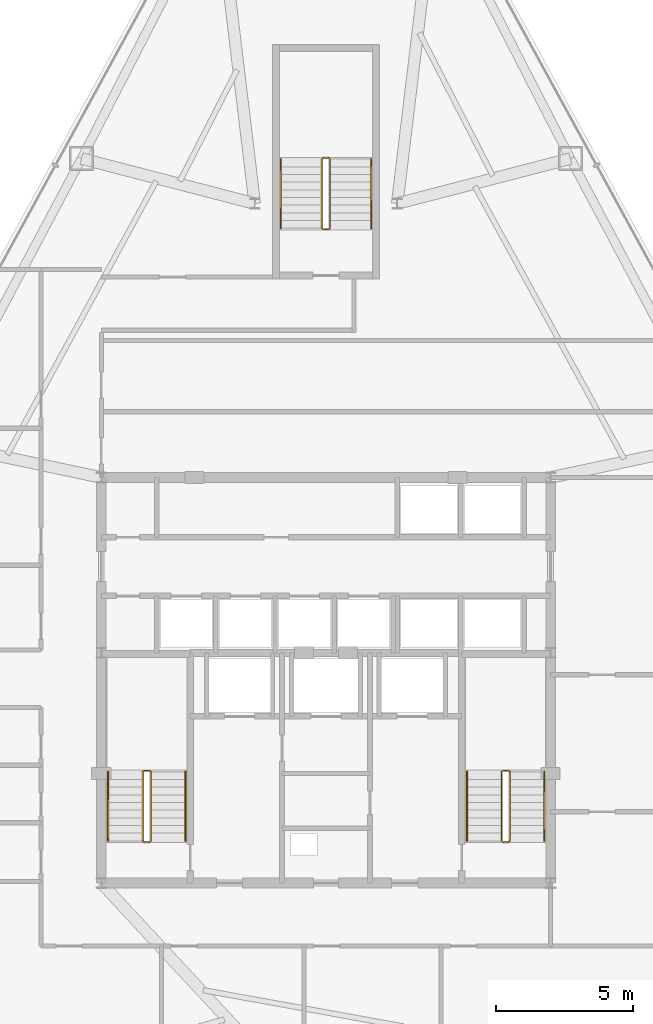
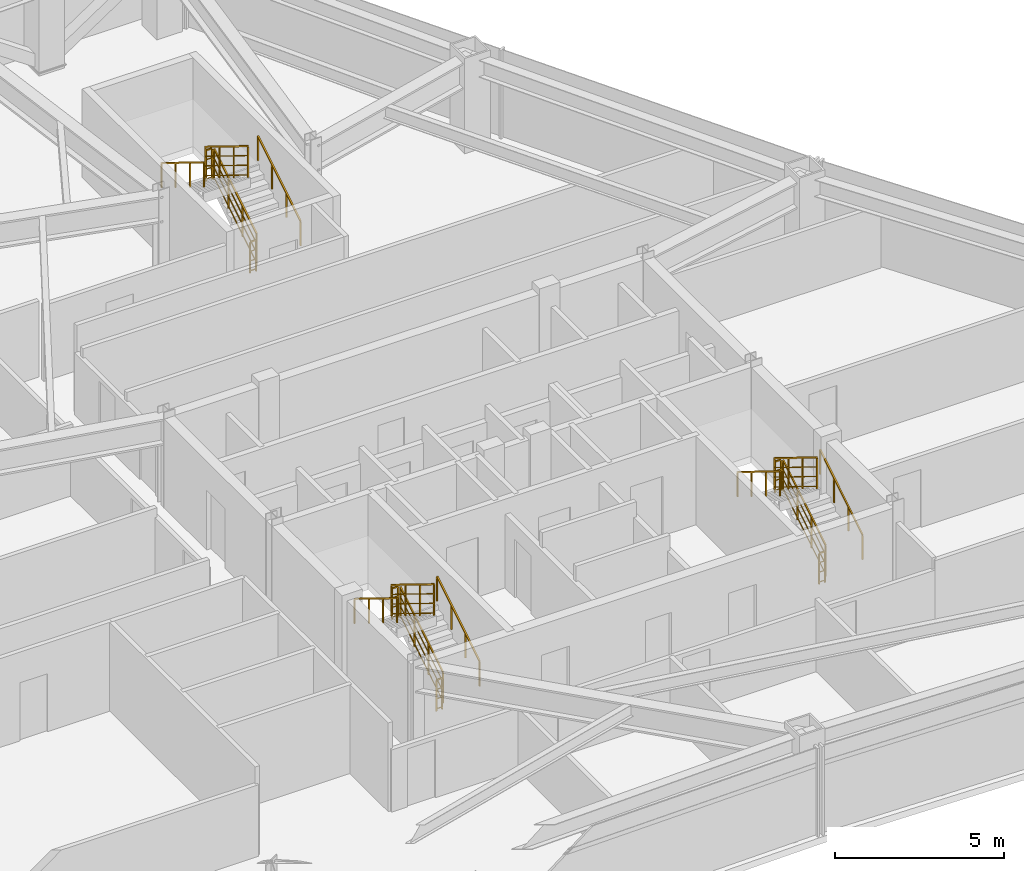
# One storey, part 11 of 11: 18 railings.
"""IFC4 building model written with IfcOpenShell, lengths in metres."""

from ifc_helpers import new_model, si_unit, direction, frame, origin, origin_2d, place, context, subcontext, project, spatial, rectangle, extrude, material, type_object, element, save


model = new_model("IFC4")

# Units and contexts
model_context = context("Model", 3, precision=1e-05, world=origin(), true_north=direction((0.0, 1.0)))
body_context = subcontext(model_context, "Body", "Model", "MODEL_VIEW")
ifc_project = project(units=[si_unit("LENGTHUNIT", "METRE"), si_unit("AREAUNIT", "SQUARE_METRE"), si_unit("VOLUMEUNIT", "CUBIC_METRE"), si_unit("PLANEANGLEUNIT", "RADIAN"), si_unit("MASSUNIT", "GRAM", prefix="KILO")], contexts=[model_context])

# Site, building, storey
site_placement = place(None, origin())
site = spatial("IfcSite", under=ifc_project, at=site_placement, CompositionType="ELEMENT")
building_placement = place(site_placement, origin())
building = spatial("IfcBuilding", under=site, at=building_placement, Name="Varakhsha Concourse Tower", CompositionType="ELEMENT")
storey_placement = place(building_placement, frame((0.0, 0.0, 150.5)))
storey = spatial("IfcBuildingStorey", under=building, at=storey_placement, Name="L43", CompositionType="ELEMENT", Elevation=150.5)

# Railings
ifc_material = material(Name="Brushed Austenitic Stainless Steel AISI 316", Category="steel")
railing_type_1 = type_object("IfcRailingType", Name="RL-STAIR-GUARD-1100", PredefinedType="GUARDRAIL", material=ifc_material)
railing_1_placement = place(storey_placement, frame((33.610107421875, 17.93994140625, 0.172607421875)))
element("IfcRailing", 1, at=railing_1_placement, inside=storey, type_object=railing_type_1, Name="L43 ST1 stair guard 1", PredefinedType="GUARDRAIL", context=body_context, shape_type="SweptSolid", body=[
    extrude(rectangle(XDim=0.048095703125, YDim=0.048095703125, at=origin_2d()), frame((0.0, 0.0, 1.1259765625), z_axis=(0.0, 0.851400495292, 0.524516154772), x_axis=(-1.0, 0.0, 0.0)), (0.0, 0.0, 1.0), 2.9599609375),
    extrude(rectangle(XDim=0.028076171875, YDim=0.028076171875, at=origin_2d()), frame((0.0, 0.0, 0.080078125), z_axis=(0.0, 0.851400495292, 0.524516154772), x_axis=(-1.0, 0.0, 0.0)), (0.0, 0.0, 1.0), 2.9599609375),
    extrude(rectangle(XDim=0.028076171875, YDim=0.028076171875, at=origin_2d()), frame((0.0, 0.0, 0.43701171875), z_axis=(0.0, 0.851400495292, 0.524516154772), x_axis=(-1.0, 0.0, 0.0)), (0.0, 0.0, 1.0), 2.9599609375),
    extrude(rectangle(XDim=0.028076171875, YDim=0.028076171875, at=origin_2d()), frame((0.0, 0.0, 0.781982421875), z_axis=(0.0, 0.851400495292, 0.524516154772), x_axis=(-1.0, 0.0, 0.0)), (0.0, 0.0, 1.0), 2.9599609375),
    extrude(rectangle(XDim=0.0419921875, YDim=0.0419921875, at=origin_2d()), origin(), (0.0, 0.0, 1.0), 1.101806640625),
    extrude(rectangle(XDim=0.0419921875, YDim=0.0419921875, at=origin_2d()), frame((0.0, 0.840087890625, 0.517578125)), (0.0, 0.0, 1.0), 1.101806640625),
    extrude(rectangle(XDim=0.0419921875, YDim=0.0419921875, at=origin_2d()), frame((0.0, 1.679931640625, 1.034912109375)), (0.0, 0.0, 1.0), 1.101806640625),
    extrude(rectangle(XDim=0.0419921875, YDim=0.0419921875, at=origin_2d()), frame((0.0, 2.52001953125, 1.552490234375)), (0.0, 0.0, 1.0), 1.101806640625),
])
railing_2_placement = place(storey_placement, frame((33.56005859375, 20.510009765625, 1.72509765625)))
element("IfcRailing", 2, at=railing_2_placement, inside=storey, type_object=railing_type_1, Name="L43 ST1 stair guard 2", PredefinedType="GUARDRAIL", context=body_context, shape_type="SweptSolid", body=[
    extrude(rectangle(XDim=0.048095703125, YDim=0.048095703125, at=origin_2d()), frame((0.0, 0.0, 1.1259765625), z_axis=(-1.0, 0.0, 0.0), x_axis=(0.0, -1.0, 0.0)), (0.0, 0.0, 1.0), 0.199951171875),
    extrude(rectangle(XDim=0.028076171875, YDim=0.028076171875, at=origin_2d()), frame((0.0, 0.0, 0.080078125), z_axis=(-1.0, 0.0, 0.0), x_axis=(0.0, -1.0, 0.0)), (0.0, 0.0, 1.0), 0.199951171875),
    extrude(rectangle(XDim=0.028076171875, YDim=0.028076171875, at=origin_2d()), frame((0.0, 0.0, 0.43701171875), z_axis=(-1.0, 0.0, 0.0), x_axis=(0.0, -1.0, 0.0)), (0.0, 0.0, 1.0), 0.199951171875),
    extrude(rectangle(XDim=0.028076171875, YDim=0.028076171875, at=origin_2d()), frame((0.0, 0.0, 0.781982421875), z_axis=(-1.0, 0.0, 0.0), x_axis=(0.0, -1.0, 0.0)), (0.0, 0.0, 1.0), 0.199951171875),
    extrude(rectangle(XDim=0.0419921875, YDim=0.0419921875, at=origin_2d()), origin(), (0.0, 0.0, 1.0), 1.101806640625),
    extrude(rectangle(XDim=0.0419921875, YDim=0.0419921875, at=origin_2d()), frame((-0.199951171875, 0.0, 0.0)), (0.0, 0.0, 1.0), 1.101806640625),
])
railing_3_placement = place(storey_placement, frame((33.31005859375, 20.4599609375, 1.8974609375)))
element("IfcRailing", 3, at=railing_3_placement, inside=storey, type_object=railing_type_1, Name="L43 ST1 stair guard 3", PredefinedType="GUARDRAIL", context=body_context, shape_type="SweptSolid", body=[
    extrude(rectangle(XDim=0.048095703125, YDim=0.048095703125, at=origin_2d()), frame((0.0, 0.0, 1.1259765625), z_axis=(0.0, -0.851400495292, 0.524516154772), x_axis=(1.0, 0.0, 0.0)), (0.0, 0.0, 1.0), 2.9599609375),
    extrude(rectangle(XDim=0.028076171875, YDim=0.028076171875, at=origin_2d()), frame((0.0, 0.0, 0.080078125), z_axis=(0.0, -0.851400495292, 0.524516154772), x_axis=(1.0, 0.0, 0.0)), (0.0, 0.0, 1.0), 2.9599609375),
    extrude(rectangle(XDim=0.028076171875, YDim=0.028076171875, at=origin_2d()), frame((0.0, 0.0, 0.43701171875), z_axis=(0.0, -0.851400495292, 0.524516154772), x_axis=(1.0, 0.0, 0.0)), (0.0, 0.0, 1.0), 2.9599609375),
    extrude(rectangle(XDim=0.028076171875, YDim=0.028076171875, at=origin_2d()), frame((0.0, 0.0, 0.781982421875), z_axis=(0.0, -0.851400495292, 0.524516154772), x_axis=(1.0, 0.0, 0.0)), (0.0, 0.0, 1.0), 2.9599609375),
    extrude(rectangle(XDim=0.0419921875, YDim=0.0419921875, at=origin_2d()), origin(), (0.0, 0.0, 1.0), 1.101806640625),
    extrude(rectangle(XDim=0.0419921875, YDim=0.0419921875, at=origin_2d()), frame((0.0, -0.840087890625, 0.517578125)), (0.0, 0.0, 1.0), 1.101806640625),
    extrude(rectangle(XDim=0.0419921875, YDim=0.0419921875, at=origin_2d()), frame((0.0, -1.679931640625, 1.034912109375)), (0.0, 0.0, 1.0), 1.101806640625),
    extrude(rectangle(XDim=0.0419921875, YDim=0.0419921875, at=origin_2d()), frame((0.0, -2.52001953125, 1.552490234375)), (0.0, 0.0, 1.0), 1.101806640625),
])
railing_4_placement = place(storey_placement, frame((33.56005859375, 17.889892578125, 0.0)))
element("IfcRailing", 4, at=railing_4_placement, inside=storey, type_object=railing_type_1, Name="L43 ST1 stair guard 4", PredefinedType="GUARDRAIL", context=body_context, shape_type="SweptSolid", body=[
    extrude(rectangle(XDim=0.048095703125, YDim=0.048095703125, at=origin_2d()), frame((0.0, 0.0, 1.1259765625), z_axis=(-1.0, 0.0, 0.0), x_axis=(0.0, -1.0, 0.0)), (0.0, 0.0, 1.0), 0.199951171875),
    extrude(rectangle(XDim=0.028076171875, YDim=0.028076171875, at=origin_2d()), frame((0.0, 0.0, 0.080078125), z_axis=(-1.0, 0.0, 0.0), x_axis=(0.0, -1.0, 0.0)), (0.0, 0.0, 1.0), 0.199951171875),
    extrude(rectangle(XDim=0.028076171875, YDim=0.028076171875, at=origin_2d()), frame((0.0, 0.0, 0.43701171875), z_axis=(-1.0, 0.0, 0.0), x_axis=(0.0, -1.0, 0.0)), (0.0, 0.0, 1.0), 0.199951171875),
    extrude(rectangle(XDim=0.028076171875, YDim=0.028076171875, at=origin_2d()), frame((0.0, 0.0, 0.781982421875), z_axis=(-1.0, 0.0, 0.0), x_axis=(0.0, -1.0, 0.0)), (0.0, 0.0, 1.0), 0.199951171875),
    extrude(rectangle(XDim=0.0419921875, YDim=0.0419921875, at=origin_2d()), origin(), (0.0, 0.0, 1.0), 1.101806640625),
    extrude(rectangle(XDim=0.0419921875, YDim=0.0419921875, at=origin_2d()), frame((-0.199951171875, 0.0, 0.0)), (0.0, 0.0, 1.0), 1.101806640625),
])
railing_5_placement = place(storey_placement, frame((46.7099609375, 17.93994140625, 0.172607421875)))
element("IfcRailing", 5, at=railing_5_placement, inside=storey, type_object=railing_type_1, Name="L43 ST2 stair guard 1", PredefinedType="GUARDRAIL", context=body_context, shape_type="SweptSolid", body=[
    extrude(rectangle(XDim=0.048095703125, YDim=0.048095703125, at=origin_2d()), frame((0.0, 0.0, 1.1259765625), z_axis=(0.0, 0.851400495292, 0.524516154772), x_axis=(-1.0, 0.0, 0.0)), (0.0, 0.0, 1.0), 2.9599609375),
    extrude(rectangle(XDim=0.028076171875, YDim=0.028076171875, at=origin_2d()), frame((0.0, 0.0, 0.080078125), z_axis=(0.0, 0.851400495292, 0.524516154772), x_axis=(-1.0, 0.0, 0.0)), (0.0, 0.0, 1.0), 2.9599609375),
    extrude(rectangle(XDim=0.028076171875, YDim=0.028076171875, at=origin_2d()), frame((0.0, 0.0, 0.43701171875), z_axis=(0.0, 0.851400495292, 0.524516154772), x_axis=(-1.0, 0.0, 0.0)), (0.0, 0.0, 1.0), 2.9599609375),
    extrude(rectangle(XDim=0.028076171875, YDim=0.028076171875, at=origin_2d()), frame((0.0, 0.0, 0.781982421875), z_axis=(0.0, 0.851400495292, 0.524516154772), x_axis=(-1.0, 0.0, 0.0)), (0.0, 0.0, 1.0), 2.9599609375),
    extrude(rectangle(XDim=0.0419921875, YDim=0.0419921875, at=origin_2d()), origin(), (0.0, 0.0, 1.0), 1.101806640625),
    extrude(rectangle(XDim=0.0419921875, YDim=0.0419921875, at=origin_2d()), frame((0.0, 0.840087890625, 0.517578125)), (0.0, 0.0, 1.0), 1.101806640625),
    extrude(rectangle(XDim=0.0419921875, YDim=0.0419921875, at=origin_2d()), frame((0.0, 1.679931640625, 1.034912109375)), (0.0, 0.0, 1.0), 1.101806640625),
    extrude(rectangle(XDim=0.0419921875, YDim=0.0419921875, at=origin_2d()), frame((0.0, 2.52001953125, 1.552490234375)), (0.0, 0.0, 1.0), 1.101806640625),
])
railing_6_placement = place(storey_placement, frame((46.659912109375, 20.510009765625, 1.72509765625)))
element("IfcRailing", 6, at=railing_6_placement, inside=storey, type_object=railing_type_1, Name="L43 ST2 stair guard 2", PredefinedType="GUARDRAIL", context=body_context, shape_type="SweptSolid", body=[
    extrude(rectangle(XDim=0.048095703125, YDim=0.048095703125, at=origin_2d()), frame((0.0, 0.0, 1.1259765625), z_axis=(-1.0, 0.0, 0.0), x_axis=(0.0, -1.0, 0.0)), (0.0, 0.0, 1.0), 0.199951171875),
    extrude(rectangle(XDim=0.028076171875, YDim=0.028076171875, at=origin_2d()), frame((0.0, 0.0, 0.080078125), z_axis=(-1.0, 0.0, 0.0), x_axis=(0.0, -1.0, 0.0)), (0.0, 0.0, 1.0), 0.199951171875),
    extrude(rectangle(XDim=0.028076171875, YDim=0.028076171875, at=origin_2d()), frame((0.0, 0.0, 0.43701171875), z_axis=(-1.0, 0.0, 0.0), x_axis=(0.0, -1.0, 0.0)), (0.0, 0.0, 1.0), 0.199951171875),
    extrude(rectangle(XDim=0.028076171875, YDim=0.028076171875, at=origin_2d()), frame((0.0, 0.0, 0.781982421875), z_axis=(-1.0, 0.0, 0.0), x_axis=(0.0, -1.0, 0.0)), (0.0, 0.0, 1.0), 0.199951171875),
    extrude(rectangle(XDim=0.0419921875, YDim=0.0419921875, at=origin_2d()), origin(), (0.0, 0.0, 1.0), 1.101806640625),
    extrude(rectangle(XDim=0.0419921875, YDim=0.0419921875, at=origin_2d()), frame((-0.199951171875, 0.0, 0.0)), (0.0, 0.0, 1.0), 1.101806640625),
])
railing_7_placement = place(storey_placement, frame((46.409912109375, 20.4599609375, 1.8974609375)))
element("IfcRailing", 7, at=railing_7_placement, inside=storey, type_object=railing_type_1, Name="L43 ST2 stair guard 3", PredefinedType="GUARDRAIL", context=body_context, shape_type="SweptSolid", body=[
    extrude(rectangle(XDim=0.048095703125, YDim=0.048095703125, at=origin_2d()), frame((0.0, 0.0, 1.1259765625), z_axis=(0.0, -0.851400495292, 0.524516154772), x_axis=(1.0, 0.0, 0.0)), (0.0, 0.0, 1.0), 2.9599609375),
    extrude(rectangle(XDim=0.028076171875, YDim=0.028076171875, at=origin_2d()), frame((0.0, 0.0, 0.080078125), z_axis=(0.0, -0.851400495292, 0.524516154772), x_axis=(1.0, 0.0, 0.0)), (0.0, 0.0, 1.0), 2.9599609375),
    extrude(rectangle(XDim=0.028076171875, YDim=0.028076171875, at=origin_2d()), frame((0.0, 0.0, 0.43701171875), z_axis=(0.0, -0.851400495292, 0.524516154772), x_axis=(1.0, 0.0, 0.0)), (0.0, 0.0, 1.0), 2.9599609375),
    extrude(rectangle(XDim=0.028076171875, YDim=0.028076171875, at=origin_2d()), frame((0.0, 0.0, 0.781982421875), z_axis=(0.0, -0.851400495292, 0.524516154772), x_axis=(1.0, 0.0, 0.0)), (0.0, 0.0, 1.0), 2.9599609375),
    extrude(rectangle(XDim=0.0419921875, YDim=0.0419921875, at=origin_2d()), origin(), (0.0, 0.0, 1.0), 1.101806640625),
    extrude(rectangle(XDim=0.0419921875, YDim=0.0419921875, at=origin_2d()), frame((0.0, -0.840087890625, 0.517578125)), (0.0, 0.0, 1.0), 1.101806640625),
    extrude(rectangle(XDim=0.0419921875, YDim=0.0419921875, at=origin_2d()), frame((0.0, -1.679931640625, 1.034912109375)), (0.0, 0.0, 1.0), 1.101806640625),
    extrude(rectangle(XDim=0.0419921875, YDim=0.0419921875, at=origin_2d()), frame((0.0, -2.52001953125, 1.552490234375)), (0.0, 0.0, 1.0), 1.101806640625),
])
railing_8_placement = place(storey_placement, frame((46.659912109375, 17.889892578125, 0.0)))
element("IfcRailing", 8, at=railing_8_placement, inside=storey, type_object=railing_type_1, Name="L43 ST2 stair guard 4", PredefinedType="GUARDRAIL", context=body_context, shape_type="SweptSolid", body=[
    extrude(rectangle(XDim=0.048095703125, YDim=0.048095703125, at=origin_2d()), frame((0.0, 0.0, 1.1259765625), z_axis=(-1.0, 0.0, 0.0), x_axis=(0.0, -1.0, 0.0)), (0.0, 0.0, 1.0), 0.199951171875),
    extrude(rectangle(XDim=0.028076171875, YDim=0.028076171875, at=origin_2d()), frame((0.0, 0.0, 0.080078125), z_axis=(-1.0, 0.0, 0.0), x_axis=(0.0, -1.0, 0.0)), (0.0, 0.0, 1.0), 0.199951171875),
    extrude(rectangle(XDim=0.028076171875, YDim=0.028076171875, at=origin_2d()), frame((0.0, 0.0, 0.43701171875), z_axis=(-1.0, 0.0, 0.0), x_axis=(0.0, -1.0, 0.0)), (0.0, 0.0, 1.0), 0.199951171875),
    extrude(rectangle(XDim=0.028076171875, YDim=0.028076171875, at=origin_2d()), frame((0.0, 0.0, 0.781982421875), z_axis=(-1.0, 0.0, 0.0), x_axis=(0.0, -1.0, 0.0)), (0.0, 0.0, 1.0), 0.199951171875),
    extrude(rectangle(XDim=0.0419921875, YDim=0.0419921875, at=origin_2d()), origin(), (0.0, 0.0, 1.0), 1.101806640625),
    extrude(rectangle(XDim=0.0419921875, YDim=0.0419921875, at=origin_2d()), frame((-0.199951171875, 0.0, 0.0)), (0.0, 0.0, 1.0), 1.101806640625),
])
railing_9_placement = place(storey_placement, frame((40.14990234375, 40.300048828125, 0.172607421875)))
element("IfcRailing", 9, at=railing_9_placement, inside=storey, type_object=railing_type_1, Name="L43 ST5 stair guard 1", PredefinedType="GUARDRAIL", context=body_context, shape_type="SweptSolid", body=[
    extrude(rectangle(XDim=0.048095703125, YDim=0.048095703125, at=origin_2d()), frame((0.0, 0.0, 1.1259765625), z_axis=(0.0, 0.851400495292, 0.524516154772), x_axis=(-1.0, 0.0, 0.0)), (0.0, 0.0, 1.0), 2.9599609375),
    extrude(rectangle(XDim=0.028076171875, YDim=0.028076171875, at=origin_2d()), frame((0.0, 0.0, 0.080078125), z_axis=(0.0, 0.851400495292, 0.524516154772), x_axis=(-1.0, 0.0, 0.0)), (0.0, 0.0, 1.0), 2.9599609375),
    extrude(rectangle(XDim=0.028076171875, YDim=0.028076171875, at=origin_2d()), frame((0.0, 0.0, 0.43701171875), z_axis=(0.0, 0.851400495292, 0.524516154772), x_axis=(-1.0, 0.0, 0.0)), (0.0, 0.0, 1.0), 2.9599609375),
    extrude(rectangle(XDim=0.028076171875, YDim=0.028076171875, at=origin_2d()), frame((0.0, 0.0, 0.781982421875), z_axis=(0.0, 0.851400495292, 0.524516154772), x_axis=(-1.0, 0.0, 0.0)), (0.0, 0.0, 1.0), 2.9599609375),
    extrude(rectangle(XDim=0.0419921875, YDim=0.0419921875, at=origin_2d()), origin(), (0.0, 0.0, 1.0), 1.101806640625),
    extrude(rectangle(XDim=0.0419921875, YDim=0.0419921875, at=origin_2d()), frame((0.0, 0.840087890625, 0.517578125)), (0.0, 0.0, 1.0), 1.101806640625),
    extrude(rectangle(XDim=0.0419921875, YDim=0.0419921875, at=origin_2d()), frame((0.0, 1.679931640625, 1.034912109375)), (0.0, 0.0, 1.0), 1.101806640625),
    extrude(rectangle(XDim=0.0419921875, YDim=0.0419921875, at=origin_2d()), frame((0.0, 2.52001953125, 1.552490234375)), (0.0, 0.0, 1.0), 1.101806640625),
])
railing_10_placement = place(storey_placement, frame((40.10009765625, 42.8701171875, 1.72509765625)))
element("IfcRailing", 10, at=railing_10_placement, inside=storey, type_object=railing_type_1, Name="L43 ST5 stair guard 2", PredefinedType="GUARDRAIL", context=body_context, shape_type="SweptSolid", body=[
    extrude(rectangle(XDim=0.048095703125, YDim=0.048095703125, at=origin_2d()), frame((0.0, 0.0, 1.1259765625), z_axis=(-1.0, 0.0, 0.0), x_axis=(0.0, -1.0, 0.0)), (0.0, 0.0, 1.0), 0.2001953125),
    extrude(rectangle(XDim=0.028076171875, YDim=0.028076171875, at=origin_2d()), frame((0.0, 0.0, 0.080078125), z_axis=(-1.0, 0.0, 0.0), x_axis=(0.0, -1.0, 0.0)), (0.0, 0.0, 1.0), 0.2001953125),
    extrude(rectangle(XDim=0.028076171875, YDim=0.028076171875, at=origin_2d()), frame((0.0, 0.0, 0.43701171875), z_axis=(-1.0, 0.0, 0.0), x_axis=(0.0, -1.0, 0.0)), (0.0, 0.0, 1.0), 0.2001953125),
    extrude(rectangle(XDim=0.028076171875, YDim=0.028076171875, at=origin_2d()), frame((0.0, 0.0, 0.781982421875), z_axis=(-1.0, 0.0, 0.0), x_axis=(0.0, -1.0, 0.0)), (0.0, 0.0, 1.0), 0.2001953125),
    extrude(rectangle(XDim=0.0419921875, YDim=0.0419921875, at=origin_2d()), origin(), (0.0, 0.0, 1.0), 1.101806640625),
    extrude(rectangle(XDim=0.0419921875, YDim=0.0419921875, at=origin_2d()), frame((-0.2001953125, 0.0, 0.0)), (0.0, 0.0, 1.0), 1.101806640625),
])
railing_11_placement = place(storey_placement, frame((39.85009765625, 42.820068359375, 1.8974609375)))
element("IfcRailing", 11, at=railing_11_placement, inside=storey, type_object=railing_type_1, Name="L43 ST5 stair guard 3", PredefinedType="GUARDRAIL", context=body_context, shape_type="SweptSolid", body=[
    extrude(rectangle(XDim=0.048095703125, YDim=0.048095703125, at=origin_2d()), frame((0.0, 0.0, 1.1259765625), z_axis=(0.0, -0.851400495292, 0.524516154772), x_axis=(1.0, 0.0, 0.0)), (0.0, 0.0, 1.0), 2.9599609375),
    extrude(rectangle(XDim=0.028076171875, YDim=0.028076171875, at=origin_2d()), frame((0.0, 0.0, 0.080078125), z_axis=(0.0, -0.851400495292, 0.524516154772), x_axis=(1.0, 0.0, 0.0)), (0.0, 0.0, 1.0), 2.9599609375),
    extrude(rectangle(XDim=0.028076171875, YDim=0.028076171875, at=origin_2d()), frame((0.0, 0.0, 0.43701171875), z_axis=(0.0, -0.851400495292, 0.524516154772), x_axis=(1.0, 0.0, 0.0)), (0.0, 0.0, 1.0), 2.9599609375),
    extrude(rectangle(XDim=0.028076171875, YDim=0.028076171875, at=origin_2d()), frame((0.0, 0.0, 0.781982421875), z_axis=(0.0, -0.851400495292, 0.524516154772), x_axis=(1.0, 0.0, 0.0)), (0.0, 0.0, 1.0), 2.9599609375),
    extrude(rectangle(XDim=0.0419921875, YDim=0.0419921875, at=origin_2d()), origin(), (0.0, 0.0, 1.0), 1.101806640625),
    extrude(rectangle(XDim=0.0419921875, YDim=0.0419921875, at=origin_2d()), frame((0.0, -0.840087890625, 0.517578125)), (0.0, 0.0, 1.0), 1.101806640625),
    extrude(rectangle(XDim=0.0419921875, YDim=0.0419921875, at=origin_2d()), frame((0.0, -1.679931640625, 1.034912109375)), (0.0, 0.0, 1.0), 1.101806640625),
    extrude(rectangle(XDim=0.0419921875, YDim=0.0419921875, at=origin_2d()), frame((0.0, -2.52001953125, 1.552490234375)), (0.0, 0.0, 1.0), 1.101806640625),
])
railing_12_placement = place(storey_placement, frame((40.10009765625, 40.25, 0.0)))
element("IfcRailing", 12, at=railing_12_placement, inside=storey, type_object=railing_type_1, Name="L43 ST5 stair guard 4", PredefinedType="GUARDRAIL", context=body_context, shape_type="SweptSolid", body=[
    extrude(rectangle(XDim=0.048095703125, YDim=0.048095703125, at=origin_2d()), frame((0.0, 0.0, 1.1259765625), z_axis=(-1.0, 0.0, 0.0), x_axis=(0.0, -1.0, 0.0)), (0.0, 0.0, 1.0), 0.2001953125),
    extrude(rectangle(XDim=0.028076171875, YDim=0.028076171875, at=origin_2d()), frame((0.0, 0.0, 0.080078125), z_axis=(-1.0, 0.0, 0.0), x_axis=(0.0, -1.0, 0.0)), (0.0, 0.0, 1.0), 0.2001953125),
    extrude(rectangle(XDim=0.028076171875, YDim=0.028076171875, at=origin_2d()), frame((0.0, 0.0, 0.43701171875), z_axis=(-1.0, 0.0, 0.0), x_axis=(0.0, -1.0, 0.0)), (0.0, 0.0, 1.0), 0.2001953125),
    extrude(rectangle(XDim=0.028076171875, YDim=0.028076171875, at=origin_2d()), frame((0.0, 0.0, 0.781982421875), z_axis=(-1.0, 0.0, 0.0), x_axis=(0.0, -1.0, 0.0)), (0.0, 0.0, 1.0), 0.2001953125),
    extrude(rectangle(XDim=0.0419921875, YDim=0.0419921875, at=origin_2d()), origin(), (0.0, 0.0, 1.0), 1.101806640625),
    extrude(rectangle(XDim=0.0419921875, YDim=0.0419921875, at=origin_2d()), frame((-0.2001953125, 0.0, 0.0)), (0.0, 0.0, 1.0), 1.101806640625),
])
railing_type_2 = type_object("IfcRailingType", Name="RL-STAIR-RAIL-915", PredefinedType="HANDRAIL", material=ifc_material)
railing_13_placement = place(storey_placement, frame((34.8701171875, 17.93994140625, 0.344970703125)))
element("IfcRailing", 13, at=railing_13_placement, inside=storey, type_object=railing_type_2, Name="L43 ST1 stair handrail 1", PredefinedType="HANDRAIL", context=body_context, shape_type="SweptSolid", body=[
    extrude(rectangle(XDim=0.048095703125, YDim=0.048095703125, at=origin_2d()), frame((0.0, 0.0, 0.89111328125), z_axis=(0.0, 0.851400495292, 0.524516154772), x_axis=(-1.0, 0.0, 0.0)), (0.0, 0.0, 1.0), 2.9599609375),
    extrude(rectangle(XDim=0.0419921875, YDim=0.0419921875, at=origin_2d()), origin(), (0.0, 0.0, 1.0), 0.866943359375),
    extrude(rectangle(XDim=0.0419921875, YDim=0.0419921875, at=origin_2d()), frame((0.0, 0.840087890625, 0.517578125)), (0.0, 0.0, 1.0), 0.866943359375),
    extrude(rectangle(XDim=0.0419921875, YDim=0.0419921875, at=origin_2d()), frame((0.0, 1.679931640625, 1.034912109375)), (0.0, 0.0, 1.0), 0.866943359375),
    extrude(rectangle(XDim=0.0419921875, YDim=0.0419921875, at=origin_2d()), frame((0.0, 2.52001953125, 1.552490234375)), (0.0, 0.0, 1.0), 0.866943359375),
])
railing_14_placement = place(storey_placement, frame((32.050048828125, 20.4599609375, 2.070068359375)))
element("IfcRailing", 14, at=railing_14_placement, inside=storey, type_object=railing_type_2, Name="L43 ST1 stair handrail 2", PredefinedType="HANDRAIL", context=body_context, shape_type="SweptSolid", body=[
    extrude(rectangle(XDim=0.048095703125, YDim=0.048095703125, at=origin_2d()), frame((0.0, 0.0, 0.89111328125), z_axis=(0.0, -0.851400495292, 0.524516154772), x_axis=(1.0, 0.0, 0.0)), (0.0, 0.0, 1.0), 2.9599609375),
    extrude(rectangle(XDim=0.0419921875, YDim=0.0419921875, at=origin_2d()), origin(), (0.0, 0.0, 1.0), 0.866943359375),
    extrude(rectangle(XDim=0.0419921875, YDim=0.0419921875, at=origin_2d()), frame((0.0, -0.840087890625, 0.517578125)), (0.0, 0.0, 1.0), 0.866943359375),
    extrude(rectangle(XDim=0.0419921875, YDim=0.0419921875, at=origin_2d()), frame((0.0, -1.679931640625, 1.034912109375)), (0.0, 0.0, 1.0), 0.866943359375),
    extrude(rectangle(XDim=0.0419921875, YDim=0.0419921875, at=origin_2d()), frame((0.0, -2.52001953125, 1.552490234375)), (0.0, 0.0, 1.0), 0.866943359375),
])
railing_15_placement = place(storey_placement, frame((47.969970703125, 17.93994140625, 0.344970703125)))
element("IfcRailing", 15, at=railing_15_placement, inside=storey, type_object=railing_type_2, Name="L43 ST2 stair handrail 1", PredefinedType="HANDRAIL", context=body_context, shape_type="SweptSolid", body=[
    extrude(rectangle(XDim=0.048095703125, YDim=0.048095703125, at=origin_2d()), frame((0.0, 0.0, 0.89111328125), z_axis=(0.0, 0.851400495292, 0.524516154772), x_axis=(-1.0, 0.0, 0.0)), (0.0, 0.0, 1.0), 2.9599609375),
    extrude(rectangle(XDim=0.0419921875, YDim=0.0419921875, at=origin_2d()), origin(), (0.0, 0.0, 1.0), 0.866943359375),
    extrude(rectangle(XDim=0.0419921875, YDim=0.0419921875, at=origin_2d()), frame((0.0, 0.840087890625, 0.517578125)), (0.0, 0.0, 1.0), 0.866943359375),
    extrude(rectangle(XDim=0.0419921875, YDim=0.0419921875, at=origin_2d()), frame((0.0, 1.679931640625, 1.034912109375)), (0.0, 0.0, 1.0), 0.866943359375),
    extrude(rectangle(XDim=0.0419921875, YDim=0.0419921875, at=origin_2d()), frame((0.0, 2.52001953125, 1.552490234375)), (0.0, 0.0, 1.0), 0.866943359375),
])
railing_16_placement = place(storey_placement, frame((45.14990234375, 20.4599609375, 2.070068359375)))
element("IfcRailing", 16, at=railing_16_placement, inside=storey, type_object=railing_type_2, Name="L43 ST2 stair handrail 2", PredefinedType="HANDRAIL", context=body_context, shape_type="SweptSolid", body=[
    extrude(rectangle(XDim=0.048095703125, YDim=0.048095703125, at=origin_2d()), frame((0.0, 0.0, 0.89111328125), z_axis=(0.0, -0.851400495292, 0.524516154772), x_axis=(1.0, 0.0, 0.0)), (0.0, 0.0, 1.0), 2.9599609375),
    extrude(rectangle(XDim=0.0419921875, YDim=0.0419921875, at=origin_2d()), origin(), (0.0, 0.0, 1.0), 0.866943359375),
    extrude(rectangle(XDim=0.0419921875, YDim=0.0419921875, at=origin_2d()), frame((0.0, -0.840087890625, 0.517578125)), (0.0, 0.0, 1.0), 0.866943359375),
    extrude(rectangle(XDim=0.0419921875, YDim=0.0419921875, at=origin_2d()), frame((0.0, -1.679931640625, 1.034912109375)), (0.0, 0.0, 1.0), 0.866943359375),
    extrude(rectangle(XDim=0.0419921875, YDim=0.0419921875, at=origin_2d()), frame((0.0, -2.52001953125, 1.552490234375)), (0.0, 0.0, 1.0), 0.866943359375),
])
railing_17_placement = place(storey_placement, frame((41.64990234375, 40.300048828125, 0.344970703125)))
element("IfcRailing", 17, at=railing_17_placement, inside=storey, type_object=railing_type_2, Name="L43 ST5 stair handrail 1", PredefinedType="HANDRAIL", context=body_context, shape_type="SweptSolid", body=[
    extrude(rectangle(XDim=0.048095703125, YDim=0.048095703125, at=origin_2d()), frame((0.0, 0.0, 0.89111328125), z_axis=(0.0, 0.851400495292, 0.524516154772), x_axis=(-1.0, 0.0, 0.0)), (0.0, 0.0, 1.0), 2.9599609375),
    extrude(rectangle(XDim=0.0419921875, YDim=0.0419921875, at=origin_2d()), origin(), (0.0, 0.0, 1.0), 0.866943359375),
    extrude(rectangle(XDim=0.0419921875, YDim=0.0419921875, at=origin_2d()), frame((0.0, 0.840087890625, 0.517578125)), (0.0, 0.0, 1.0), 0.866943359375),
    extrude(rectangle(XDim=0.0419921875, YDim=0.0419921875, at=origin_2d()), frame((0.0, 1.679931640625, 1.034912109375)), (0.0, 0.0, 1.0), 0.866943359375),
    extrude(rectangle(XDim=0.0419921875, YDim=0.0419921875, at=origin_2d()), frame((0.0, 2.52001953125, 1.552490234375)), (0.0, 0.0, 1.0), 0.866943359375),
])
railing_18_placement = place(storey_placement, frame((38.35009765625, 42.820068359375, 2.070068359375)))
element("IfcRailing", 18, at=railing_18_placement, inside=storey, type_object=railing_type_2, Name="L43 ST5 stair handrail 2", PredefinedType="HANDRAIL", context=body_context, shape_type="SweptSolid", body=[
    extrude(rectangle(XDim=0.048095703125, YDim=0.048095703125, at=origin_2d()), frame((0.0, 0.0, 0.89111328125), z_axis=(0.0, -0.851400495292, 0.524516154772), x_axis=(1.0, 0.0, 0.0)), (0.0, 0.0, 1.0), 2.9599609375),
    extrude(rectangle(XDim=0.0419921875, YDim=0.0419921875, at=origin_2d()), origin(), (0.0, 0.0, 1.0), 0.866943359375),
    extrude(rectangle(XDim=0.0419921875, YDim=0.0419921875, at=origin_2d()), frame((0.0, -0.840087890625, 0.517578125)), (0.0, 0.0, 1.0), 0.866943359375),
    extrude(rectangle(XDim=0.0419921875, YDim=0.0419921875, at=origin_2d()), frame((0.0, -1.679931640625, 1.034912109375)), (0.0, 0.0, 1.0), 0.866943359375),
    extrude(rectangle(XDim=0.0419921875, YDim=0.0419921875, at=origin_2d()), frame((0.0, -2.52001953125, 1.552490234375)), (0.0, 0.0, 1.0), 0.866943359375),
])

save(model, "model.ifc")
